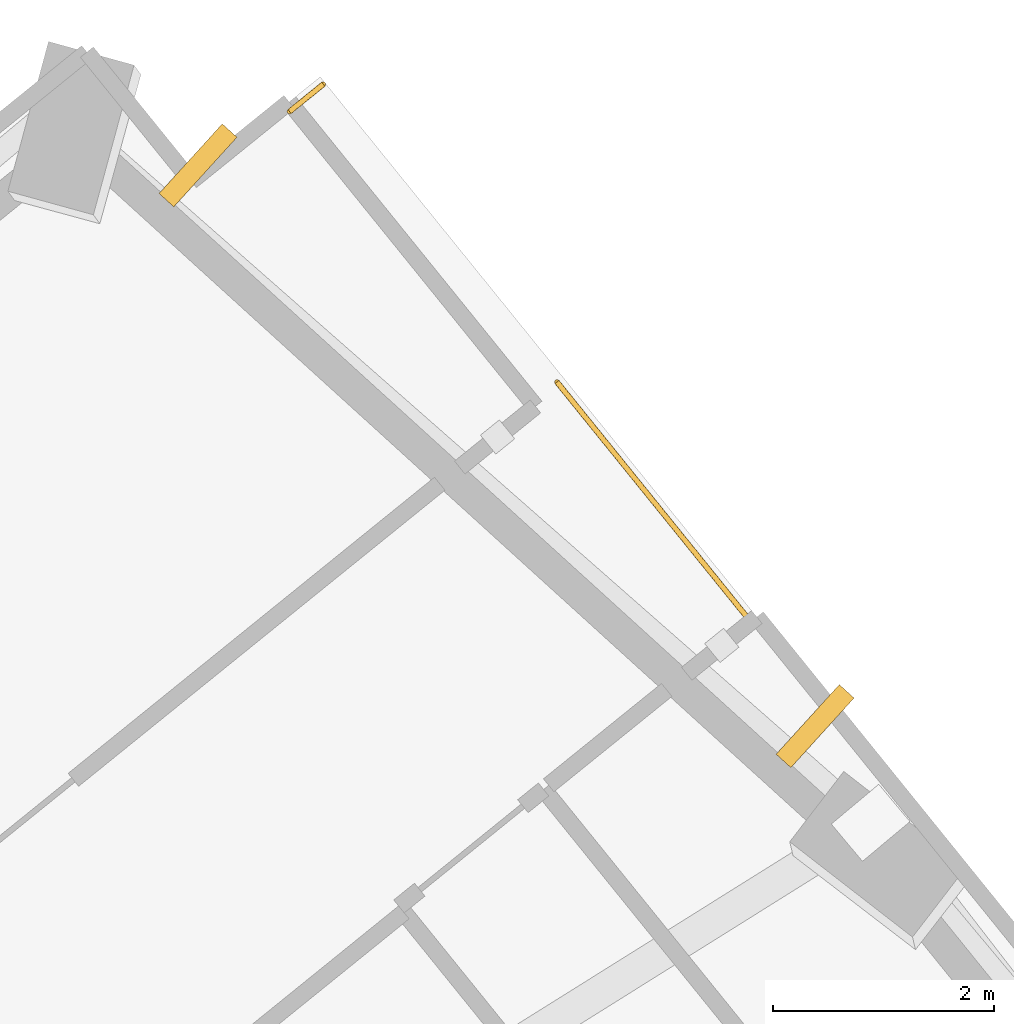
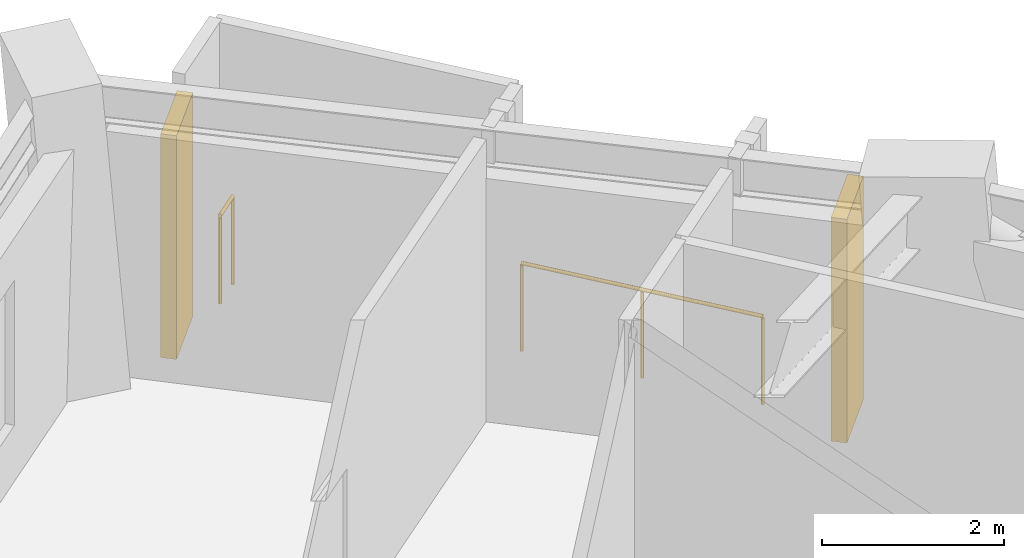
# One storey, part 14 of 14: 2 railings, 2 shading devices.
"""IFC4 building model written with IfcOpenShell, lengths in metres."""

from ifc_helpers import new_model, si_unit, direction, frame, origin, origin_2d, place, context, subcontext, project, spatial, rectangle, circle, extrude, material, layer, layer_set, type_object, element, save


model = new_model("IFC4")

# Units and contexts
model_context = context("Model", 3, precision=1e-05, world=origin(), true_north=direction((0.0, 1.0)))
body_context = subcontext(model_context, "Body", "Model", "MODEL_VIEW")
ifc_project = project(units=[si_unit("LENGTHUNIT", "METRE"), si_unit("AREAUNIT", "SQUARE_METRE"), si_unit("VOLUMEUNIT", "CUBIC_METRE"), si_unit("PLANEANGLEUNIT", "RADIAN"), si_unit("MASSUNIT", "GRAM", prefix="KILO")], contexts=[model_context])

# Site, building, storey
site_placement = place(None, origin())
site = spatial("IfcSite", under=ifc_project, at=site_placement, CompositionType="ELEMENT")
building_placement = place(site_placement, origin())
building = spatial("IfcBuilding", under=site, at=building_placement, Name="Gaonmaruhae Medical Tower", CompositionType="ELEMENT")
storey_placement = place(building_placement, frame((0.0, 0.0, 189.800048828125)))
storey = spatial("IfcBuildingStorey", under=building, at=storey_placement, Name="L45", CompositionType="ELEMENT", Elevation=189.800048828125)

# Railings
ifc_material_1 = material(Name="Stainless steel 316L and laminated safety glass", Category="steel")
ifc_layer = layer(ifc_material_1, 0.080078125)
ifc_layer_set = layer_set([ifc_layer], Name="Stainless steel 316L and laminated safety glass")
railing_type = type_object("IfcRailingType", Name="GD-120 Outdoor Terrace Safety Glass & Steel Balustrade", PredefinedType="BALUSTRADE", material=ifc_layer_set)
railing_1_placement = place(storey_placement, frame((52.81103515625, 37.281494140625, 0.0)))
element("IfcRailing", 1, at=railing_1_placement, inside=storey, type_object=railing_type, Name="L45 Perimeter Slab Edge Safety Balustrade 01", PredefinedType="BALUSTRADE", context=body_context, shape_type="SweptSolid", body=[
    extrude(circle(Radius=0.02392578125, at=origin_2d()), frame((0.0, 0.0, 1.17578125), z_axis=(0.777649394714, 0.628698193811, 0.0), x_axis=(-0.628698193811, 0.777649394714, 0.0)), (0.0, 0.0, 1.0), 0.393310546875),
    extrude(circle(Radius=0.02099609375, at=origin_2d()), origin(), (0.0, 0.0, 1.0), 1.15185546875),
    extrude(circle(Radius=0.02099609375, at=origin_2d()), frame((0.305908203125, 0.247314453125, 0.0)), (0.0, 0.0, 1.0), 1.15185546875),
])
railing_2_placement = place(storey_placement, frame((55.228759765625, 34.83642578125, 0.0)))
element("IfcRailing", 2, at=railing_2_placement, inside=storey, type_object=railing_type, Name="L45 Perimeter Slab Edge Safety Balustrade 02", PredefinedType="BALUSTRADE", context=body_context, shape_type="SweptSolid", body=[
    extrude(circle(Radius=0.02392578125, at=origin_2d()), frame((0.0, 0.0, 1.17578125), z_axis=(0.628641363782, -0.777695336068, 0.0), x_axis=(0.777695336068, 0.628641363782, 0.0)), (0.0, 0.0, 1.0), 2.838623046875),
    extrude(circle(Radius=0.02099609375, at=origin_2d()), origin(), (0.0, 0.0, 1.0), 1.15185546875),
    extrude(circle(Radius=0.02099609375, at=origin_2d()), frame((0.89208984375, -1.103759765625, 0.0)), (0.0, 0.0, 1.0), 1.15185546875),
    extrude(circle(Radius=0.02099609375, at=origin_2d()), frame((1.784423828125, -2.20751953125, 0.0)), (0.0, 0.0, 1.0), 1.15185546875),
])

# Shading devices
ifc_material_2 = material(Name="Pigmented coral precast concrete C45/55", Category="concrete")
shading_device_type = type_object("IfcShadingDeviceType", Name="SD-FIN1 Tower Vertical Coral Precast Shading Fin", PredefinedType="USERDEFINED", material=ifc_material_2)
for number, where, z_axis, x_axis, name in (
    (3, (51.983642578125, 36.794921875, 0.132568359375), (0.0, 0.0, 1.0), (0.740100766068, -0.672495989628, 0.0), "L45 Vertical Coral Precast Shading Fin E02"),
    (4, (57.562255859375, 31.725830078125, 0.132568359375), (0.0, 0.0, 1.0), (0.740100766068, -0.672495989628, 0.0), "L45 Vertical Coral Precast Shading Fin E02B"),
):
    element("IfcShadingDevice", number, at=place(storey_placement, frame(where, z_axis=z_axis, x_axis=x_axis)), inside=storey, type_object=shading_device_type, Name=name, ObjectType="FIN", PredefinedType="USERDEFINED", context=body_context, shape_type="SweptSolid", body=[
        extrude(rectangle(XDim=0.179931640625, YDim=0.85009765625, at=origin_2d()), origin(), (0.0, 0.0, 1.0), 3.0),
    ])

save(model, "model.ifc")
